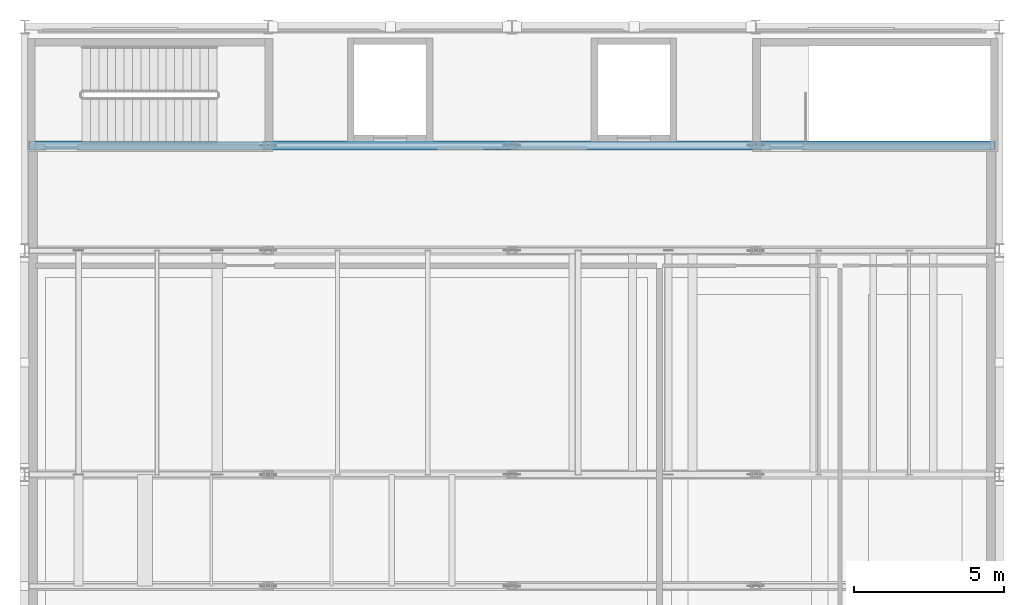
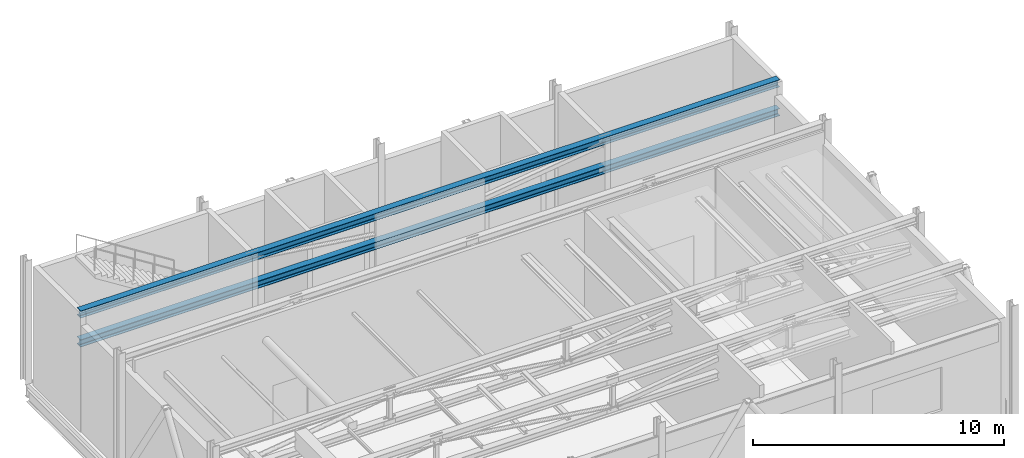
# One storey, part 10 of 21: 2 members.
"""IFC4 building model written with IfcOpenShell, lengths in metres."""

from ifc_helpers import new_model, si_unit, direction, frame, origin, origin_2d, place, context, subcontext, project, spatial, i_section, extrude, material, material_profile, profile_set, type_object, element, save


model = new_model("IFC4")

# Units and contexts
model_context = context("Model", 3, precision=1e-05, world=origin(), true_north=direction((0.0, 1.0)))
body_context = subcontext(model_context, "Body", "Model", "MODEL_VIEW")
ifc_project = project(units=[si_unit("LENGTHUNIT", "METRE"), si_unit("AREAUNIT", "SQUARE_METRE"), si_unit("VOLUMEUNIT", "CUBIC_METRE"), si_unit("PLANEANGLEUNIT", "RADIAN"), si_unit("MASSUNIT", "GRAM", prefix="KILO")], contexts=[model_context])

# Site, building, storey
site_placement = place(None, origin())
site = spatial("IfcSite", under=ifc_project, at=site_placement, CompositionType="ELEMENT")
building_placement = place(site_placement, origin())
building = spatial("IfcBuilding", under=site, at=building_placement, Name="Kaelora Sail Theatre", CompositionType="ELEMENT")
storey_placement = place(building_placement, frame((0.0, 0.0, 27.60009765625)))
storey = spatial("IfcBuildingStorey", under=building, at=storey_placement, Name="L06", CompositionType="ELEMENT", Elevation=27.60009765625)

# Members
ifc_material_1 = material(Name="Steel S355", Category="steel")
ifc_material_profile_1 = material_profile(ifc_material_1, i_section(OverallWidth=0.300048828125, OverallDepth=0.35009765625, WebThickness=0.010009765625, FlangeThickness=0.017578125, FilletRadius=0.027099609375, at=origin_2d()), Name="HEA 360")
ifc_profile_set_1 = profile_set([ifc_material_profile_1], Name="Steel S355")
member_type_1 = type_object("IfcMemberType", Name="STR-MEM-CH-HEA360", PredefinedType="CHORD", material=ifc_profile_set_1)
member_1_placement = place(storey_placement, frame((25.949951171875, 79.39990234375, 5.64990234375), z_axis=(1.0, 0.0, 0.0), x_axis=(0.0, 1.0, 0.0)))
element("IfcMember", 1, at=member_1_placement, inside=storey, type_object=member_type_1, Name="Fly Tower truss 4 top chord", PredefinedType="CHORD", context=body_context, shape_type="SweptSolid", body=[
    extrude(i_section(OverallWidth=0.300048828125, OverallDepth=0.35009765625, WebThickness=0.010009765625, FlangeThickness=0.017578125, FilletRadius=0.027099609375, at=origin_2d()), origin(), (0.0, 0.0, 1.0), 32.10009765625),
])
ifc_material_2 = material(Name="Steel S355", Category="steel")
ifc_material_profile_2 = material_profile(ifc_material_2, i_section(OverallWidth=0.300048828125, OverallDepth=0.360107421875, WebThickness=0.012451171875, FlangeThickness=0.0224609375, FilletRadius=0.027099609375, at=origin_2d()), Name="HEB 360")
ifc_profile_set_2 = profile_set([ifc_material_profile_2], Name="Steel S355")
member_type_2 = type_object("IfcMemberType", Name="STR-MEM-CH-HEB360", PredefinedType="CHORD", material=ifc_profile_set_2)
member_2_placement = place(storey_placement, frame((25.949951171875, 79.39990234375, 4.25), z_axis=(1.0, 0.0, 0.0), x_axis=(0.0, 1.0, 0.0)))
element("IfcMember", 2, at=member_2_placement, inside=storey, type_object=member_type_2, Name="Fly Tower truss 4 bottom chord", PredefinedType="CHORD", context=body_context, shape_type="SweptSolid", body=[
    extrude(i_section(OverallWidth=0.300048828125, OverallDepth=0.360107421875, WebThickness=0.012451171875, FlangeThickness=0.0224609375, FilletRadius=0.027099609375, at=origin_2d()), origin(), (0.0, 0.0, 1.0), 32.10009765625),
])

save(model, "model.ifc")
